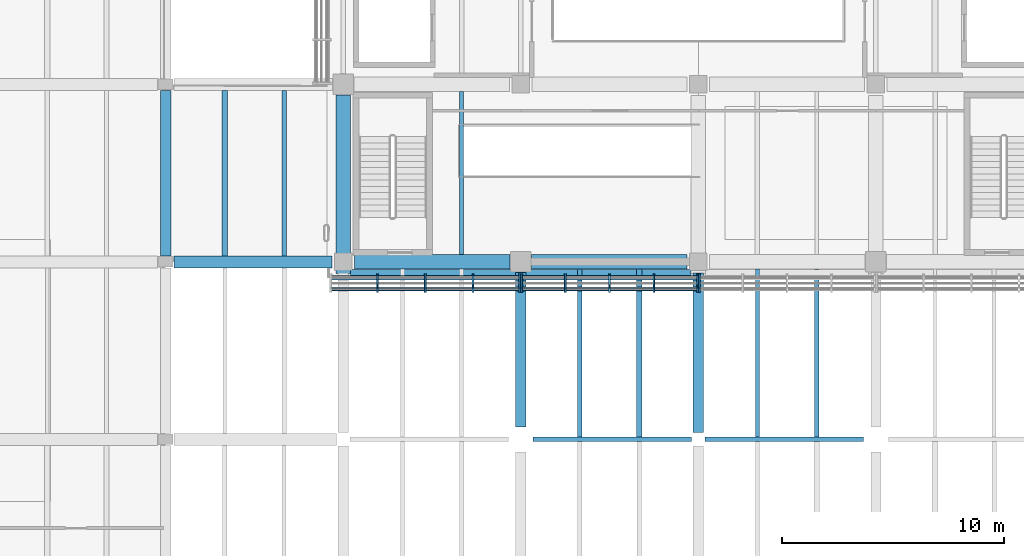
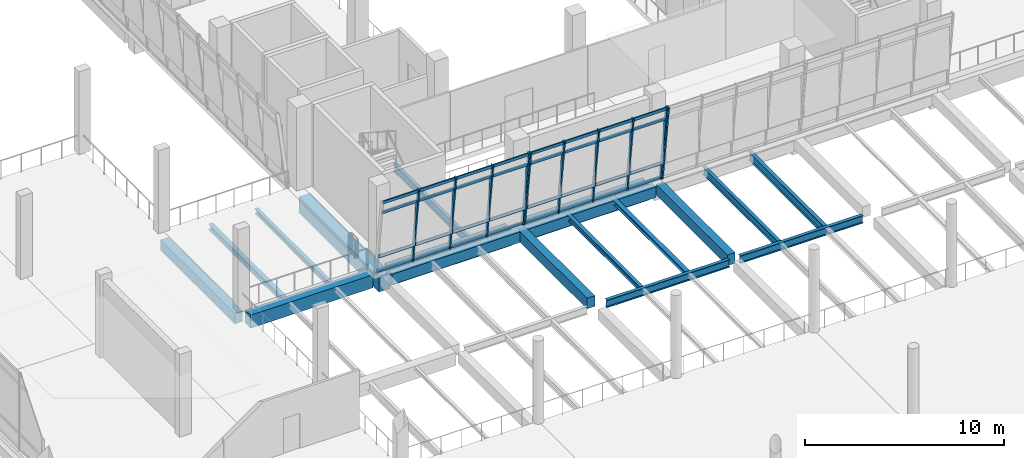
# One storey, part 13 of 61: 42 members, 17 beams, 3 elements without a shape of their own.
"""IFC4 building model written with IfcOpenShell, lengths in metres."""

from ifc_helpers import new_model, si_unit, direction, frame, origin, origin_2d, place, context, subcontext, project, spatial, rectangle, i_section, extrude, material, material_profile, profile_set, type_object, element, aggregate, save


model = new_model("IFC4")

# Units and contexts
model_context = context("Model", 3, precision=1e-05, world=origin(), true_north=direction((0.0, 1.0)))
body_context = subcontext(model_context, "Body", "Model", "MODEL_VIEW")
ifc_project = project(units=[si_unit("LENGTHUNIT", "METRE"), si_unit("AREAUNIT", "SQUARE_METRE"), si_unit("VOLUMEUNIT", "CUBIC_METRE"), si_unit("PLANEANGLEUNIT", "RADIAN"), si_unit("MASSUNIT", "GRAM", prefix="KILO")], contexts=[model_context])

# Site, building, storey
site_placement = place(None, origin())
site = spatial("IfcSite", under=ifc_project, at=site_placement, CompositionType="ELEMENT")
building_placement = place(site_placement, origin())
building = spatial("IfcBuilding", under=site, at=building_placement, Name="Pecanmere Concourse Central Library", CompositionType="ELEMENT")
storey_placement = place(building_placement, frame((0.0, 0.0, 5.39990234375)))
storey = spatial("IfcBuildingStorey", under=building, at=storey_placement, Name="L02", CompositionType="ELEMENT", Elevation=5.39990234375)

# Curtain wall, members
ifc_material_1 = material(Name="Anodized bronze aluminium alloy 6063-T6", Category="aluminium")
curtain_wall_type = type_object("IfcCurtainWallType", Name="CW_LEAN_BANDED", PredefinedType="USERDEFINED", material=ifc_material_1)
curtain_wall_1_placement = place(storey_placement, origin())
curtain_wall_1 = element("IfcCurtainWall", 1, at=curtain_wall_1_placement, inside=storey, type_object=curtain_wall_type, Name="Unitised Curtain Wall CW-01 L02-012", ObjectType="UNITISED CURTAIN WALL", PredefinedType="USERDEFINED")
ifc_material_2 = material(Name="Anodized bronze aluminium alloy 6063-T6", Category="aluminium")
ifc_material_profile_1 = material_profile(ifc_material_2, rectangle(XDim=0.074951171875, YDim=0.199951171875, at=origin_2d()), Name="AL 75x200")
ifc_profile_set_1 = profile_set([ifc_material_profile_1], Name="Anodized bronze aluminium alloy 6063-T6")
member_type_1 = type_object("IfcMemberType", Name="CWM_200x75", PredefinedType="MULLION", material=ifc_profile_set_1)
member_1_placement = place(storey_placement, frame((73.54833984375, 89.359619140625, 0.0), z_axis=(0.0, -0.132283601957, 0.991211909055), x_axis=(1.0, 0.0, 0.0)))
member_1 = element("IfcMember", 2, at=member_1_placement, type_object=member_type_1, Name="CW-01 Mullion 2", PredefinedType="MULLION", context=body_context, shape_type="SweptSolid", body=[
    extrude(rectangle(XDim=0.074951171875, YDim=0.199951171875, at=origin_2d()), origin(), (0.0, 0.0, 1.0), 4.80224609375),
])
member_2_placement = place(storey_placement, frame((75.697265625, 89.359619140625, 0.0), z_axis=(0.0, -0.132283601957, 0.991211909055), x_axis=(1.0, 0.0, 0.0)))
member_2 = element("IfcMember", 3, at=member_2_placement, type_object=member_type_1, Name="CW-01 Mullion 3", PredefinedType="MULLION", context=body_context, shape_type="SweptSolid", body=[
    extrude(rectangle(XDim=0.074951171875, YDim=0.199951171875, at=origin_2d()), origin(), (0.0, 0.0, 1.0), 4.80224609375),
])
member_3_placement = place(storey_placement, frame((77.84619140625, 89.359619140625, 0.0), z_axis=(0.0, -0.132283601957, 0.991211909055), x_axis=(1.0, 0.0, 0.0)))
member_3 = element("IfcMember", 4, at=member_3_placement, type_object=member_type_1, Name="CW-01 Mullion 4", PredefinedType="MULLION", context=body_context, shape_type="SweptSolid", body=[
    extrude(rectangle(XDim=0.074951171875, YDim=0.199951171875, at=origin_2d()), origin(), (0.0, 0.0, 1.0), 4.80224609375),
])
member_4_placement = place(storey_placement, frame((79.95751953125, 89.359619140625, 0.0), z_axis=(0.0, -0.132283601957, 0.991211909055), x_axis=(1.0, 0.0, 0.0)))
member_4 = element("IfcMember", 5, at=member_4_placement, type_object=member_type_1, Name="CW-01 Mullion 5", PredefinedType="MULLION", context=body_context, shape_type="SweptSolid", body=[
    extrude(rectangle(XDim=0.074951171875, YDim=0.199951171875, at=origin_2d()), origin(), (0.0, 0.0, 1.0), 4.80224609375),
])

curtain_wall_2_placement = place(storey_placement, origin())
curtain_wall_2 = element("IfcCurtainWall", 6, at=curtain_wall_2_placement, inside=storey, type_object=curtain_wall_type, Name="Unitised Curtain Wall CW-01 L02-013", ObjectType="UNITISED CURTAIN WALL", PredefinedType="USERDEFINED")
member_5_placement = place(storey_placement, frame((80.04248046875, 89.359619140625, 0.0), z_axis=(0.0, -0.132283601957, 0.991211909055), x_axis=(1.0, 0.0, 0.0)))
member_5 = element("IfcMember", 7, at=member_5_placement, type_object=member_type_1, Name="CW-01 Mullion 1", PredefinedType="MULLION", context=body_context, shape_type="SweptSolid", body=[
    extrude(rectangle(XDim=0.074951171875, YDim=0.199951171875, at=origin_2d()), origin(), (0.0, 0.0, 1.0), 4.80224609375),
])
member_6_placement = place(storey_placement, frame((82.00244140625, 89.359619140625, 0.0), z_axis=(0.0, -0.132283601957, 0.991211909055), x_axis=(1.0, 0.0, 0.0)))
member_6 = element("IfcMember", 8, at=member_6_placement, type_object=member_type_1, Name="CW-01 Mullion 2", PredefinedType="MULLION", context=body_context, shape_type="SweptSolid", body=[
    extrude(rectangle(XDim=0.074951171875, YDim=0.199951171875, at=origin_2d()), origin(), (0.0, 0.0, 1.0), 4.80224609375),
])
member_7_placement = place(storey_placement, frame((84.0, 89.359619140625, 0.0), z_axis=(0.0, -0.132283601957, 0.991211909055), x_axis=(1.0, 0.0, 0.0)))
member_7 = element("IfcMember", 9, at=member_7_placement, type_object=member_type_1, Name="CW-01 Mullion 3", PredefinedType="MULLION", context=body_context, shape_type="SweptSolid", body=[
    extrude(rectangle(XDim=0.074951171875, YDim=0.199951171875, at=origin_2d()), origin(), (0.0, 0.0, 1.0), 4.80224609375),
])
member_8_placement = place(storey_placement, frame((85.99755859375, 89.359619140625, 0.0), z_axis=(0.0, -0.132283601957, 0.991211909055), x_axis=(1.0, 0.0, 0.0)))
member_8 = element("IfcMember", 10, at=member_8_placement, type_object=member_type_1, Name="CW-01 Mullion 4", PredefinedType="MULLION", context=body_context, shape_type="SweptSolid", body=[
    extrude(rectangle(XDim=0.074951171875, YDim=0.199951171875, at=origin_2d()), origin(), (0.0, 0.0, 1.0), 4.80224609375),
])
member_9_placement = place(storey_placement, frame((87.95751953125, 89.359619140625, 0.0), z_axis=(0.0, -0.132283601957, 0.991211909055), x_axis=(1.0, 0.0, 0.0)))
member_9 = element("IfcMember", 11, at=member_9_placement, type_object=member_type_1, Name="CW-01 Mullion 5", PredefinedType="MULLION", context=body_context, shape_type="SweptSolid", body=[
    extrude(rectangle(XDim=0.074951171875, YDim=0.199951171875, at=origin_2d()), origin(), (0.0, 0.0, 1.0), 4.80224609375),
])

# Curtain wall, member
curtain_wall_3_placement = place(storey_placement, origin())
curtain_wall_3 = element("IfcCurtainWall", 12, at=curtain_wall_3_placement, inside=storey, type_object=curtain_wall_type, Name="Unitised Curtain Wall CW-01 L02-014", ObjectType="UNITISED CURTAIN WALL", PredefinedType="USERDEFINED")
member_10_placement = place(storey_placement, frame((88.04248046875, 89.359619140625, 0.0), z_axis=(0.0, -0.132283601957, 0.991211909055), x_axis=(1.0, 0.0, 0.0)))
member_10 = element("IfcMember", 13, at=member_10_placement, type_object=member_type_1, Name="CW-01 Mullion 1", PredefinedType="MULLION", context=body_context, shape_type="SweptSolid", body=[
    extrude(rectangle(XDim=0.074951171875, YDim=0.199951171875, at=origin_2d()), origin(), (0.0, 0.0, 1.0), 4.80224609375),
])
aggregate(curtain_wall_3, [member_10])

# Member
ifc_material_3 = material(Name="Anodized bronze aluminium alloy 6063-T6", Category="aluminium")
ifc_material_profile_2 = material_profile(ifc_material_3, rectangle(XDim=0.06494140625, YDim=0.179931640625, at=origin_2d()), Name="AL 65x180")
ifc_profile_set_2 = profile_set([ifc_material_profile_2], Name="Anodized bronze aluminium alloy 6063-T6")
member_type_2 = type_object("IfcMemberType", Name="CWT_180x65", PredefinedType="USERDEFINED", material=ifc_profile_set_2)
member_11_placement = place(storey_placement, frame((71.474609375, 89.347412109375, 0.090087890625), z_axis=(1.0, 0.0, 0.0), x_axis=(0.0, 1.0, 0.0)))
member_11 = element("IfcMember", 14, at=member_11_placement, type_object=member_type_2, Name="CW-01 Transom 1.1", ObjectType="TRANSOM", PredefinedType="USERDEFINED", context=body_context, shape_type="SweptSolid", body=[
    extrude(rectangle(XDim=0.06494140625, YDim=0.179931640625, at=origin_2d()), origin(), (0.0, 0.0, 1.0), 2.036376953125),
])

member_12_placement = place(storey_placement, frame((71.474609375, 89.219482421875, 1.050048828125), z_axis=(1.0, 0.0, 0.0), x_axis=(0.0, 1.0, 0.0)))
member_12 = element("IfcMember", 15, at=member_12_placement, type_object=member_type_2, Name="CW-01 Transom 1.2", ObjectType="TRANSOM", PredefinedType="USERDEFINED", context=body_context, shape_type="SweptSolid", body=[
    extrude(rectangle(XDim=0.06494140625, YDim=0.179931640625, at=origin_2d()), origin(), (0.0, 0.0, 1.0), 2.036376953125),
])

member_13_placement = place(storey_placement, frame((71.474609375, 88.824462890625, 4.010009765625), z_axis=(1.0, 0.0, 0.0), x_axis=(0.0, 1.0, 0.0)))
member_13 = element("IfcMember", 16, at=member_13_placement, type_object=member_type_2, Name="CW-01 Transom 1.3", ObjectType="TRANSOM", PredefinedType="USERDEFINED", context=body_context, shape_type="SweptSolid", body=[
    extrude(rectangle(XDim=0.06494140625, YDim=0.179931640625, at=origin_2d()), origin(), (0.0, 0.0, 1.0), 2.036376953125),
])

member_14_placement = place(storey_placement, frame((71.474609375, 88.736328125, 4.670166015625), z_axis=(1.0, 0.0, 0.0), x_axis=(0.0, 1.0, 0.0)))
member_14 = element("IfcMember", 17, at=member_14_placement, type_object=member_type_2, Name="CW-01 Transom 1.4", ObjectType="TRANSOM", PredefinedType="USERDEFINED", context=body_context, shape_type="SweptSolid", body=[
    extrude(rectangle(XDim=0.06494140625, YDim=0.179931640625, at=origin_2d()), origin(), (0.0, 0.0, 1.0), 2.036376953125),
])

member_15_placement = place(storey_placement, frame((73.5859375, 89.347412109375, 0.090087890625), z_axis=(1.0, 0.0, 0.0), x_axis=(0.0, 1.0, 0.0)))
member_15 = element("IfcMember", 18, at=member_15_placement, type_object=member_type_2, Name="CW-01 Transom 2.1", ObjectType="TRANSOM", PredefinedType="USERDEFINED", context=body_context, shape_type="SweptSolid", body=[
    extrude(rectangle(XDim=0.06494140625, YDim=0.179931640625, at=origin_2d()), origin(), (0.0, 0.0, 1.0), 2.07373046875),
])

member_16_placement = place(storey_placement, frame((73.5859375, 89.219482421875, 1.050048828125), z_axis=(1.0, 0.0, 0.0), x_axis=(0.0, 1.0, 0.0)))
member_16 = element("IfcMember", 19, at=member_16_placement, type_object=member_type_2, Name="CW-01 Transom 2.2", ObjectType="TRANSOM", PredefinedType="USERDEFINED", context=body_context, shape_type="SweptSolid", body=[
    extrude(rectangle(XDim=0.06494140625, YDim=0.179931640625, at=origin_2d()), origin(), (0.0, 0.0, 1.0), 2.07373046875),
])

member_17_placement = place(storey_placement, frame((73.5859375, 88.824462890625, 4.010009765625), z_axis=(1.0, 0.0, 0.0), x_axis=(0.0, 1.0, 0.0)))
member_17 = element("IfcMember", 20, at=member_17_placement, type_object=member_type_2, Name="CW-01 Transom 2.3", ObjectType="TRANSOM", PredefinedType="USERDEFINED", context=body_context, shape_type="SweptSolid", body=[
    extrude(rectangle(XDim=0.06494140625, YDim=0.179931640625, at=origin_2d()), origin(), (0.0, 0.0, 1.0), 2.07373046875),
])

member_18_placement = place(storey_placement, frame((73.5859375, 88.736328125, 4.670166015625), z_axis=(1.0, 0.0, 0.0), x_axis=(0.0, 1.0, 0.0)))
member_18 = element("IfcMember", 21, at=member_18_placement, type_object=member_type_2, Name="CW-01 Transom 2.4", ObjectType="TRANSOM", PredefinedType="USERDEFINED", context=body_context, shape_type="SweptSolid", body=[
    extrude(rectangle(XDim=0.06494140625, YDim=0.179931640625, at=origin_2d()), origin(), (0.0, 0.0, 1.0), 2.07373046875),
])

member_19_placement = place(storey_placement, frame((75.73486328125, 89.347412109375, 0.090087890625), z_axis=(1.0, 0.0, 0.0), x_axis=(0.0, 1.0, 0.0)))
member_19 = element("IfcMember", 22, at=member_19_placement, type_object=member_type_2, Name="CW-01 Transom 3.1", ObjectType="TRANSOM", PredefinedType="USERDEFINED", context=body_context, shape_type="SweptSolid", body=[
    extrude(rectangle(XDim=0.06494140625, YDim=0.179931640625, at=origin_2d()), origin(), (0.0, 0.0, 1.0), 2.07373046875),
])

member_20_placement = place(storey_placement, frame((75.73486328125, 89.219482421875, 1.050048828125), z_axis=(1.0, 0.0, 0.0), x_axis=(0.0, 1.0, 0.0)))
member_20 = element("IfcMember", 23, at=member_20_placement, type_object=member_type_2, Name="CW-01 Transom 3.2", ObjectType="TRANSOM", PredefinedType="USERDEFINED", context=body_context, shape_type="SweptSolid", body=[
    extrude(rectangle(XDim=0.06494140625, YDim=0.179931640625, at=origin_2d()), origin(), (0.0, 0.0, 1.0), 2.07373046875),
])

member_21_placement = place(storey_placement, frame((75.73486328125, 88.824462890625, 4.010009765625), z_axis=(1.0, 0.0, 0.0), x_axis=(0.0, 1.0, 0.0)))
member_21 = element("IfcMember", 24, at=member_21_placement, type_object=member_type_2, Name="CW-01 Transom 3.3", ObjectType="TRANSOM", PredefinedType="USERDEFINED", context=body_context, shape_type="SweptSolid", body=[
    extrude(rectangle(XDim=0.06494140625, YDim=0.179931640625, at=origin_2d()), origin(), (0.0, 0.0, 1.0), 2.07373046875),
])

member_22_placement = place(storey_placement, frame((75.73486328125, 88.736328125, 4.670166015625), z_axis=(1.0, 0.0, 0.0), x_axis=(0.0, 1.0, 0.0)))
member_22 = element("IfcMember", 25, at=member_22_placement, type_object=member_type_2, Name="CW-01 Transom 3.4", ObjectType="TRANSOM", PredefinedType="USERDEFINED", context=body_context, shape_type="SweptSolid", body=[
    extrude(rectangle(XDim=0.06494140625, YDim=0.179931640625, at=origin_2d()), origin(), (0.0, 0.0, 1.0), 2.07373046875),
])

member_23_placement = place(storey_placement, frame((77.883544921875, 89.347412109375, 0.090087890625), z_axis=(1.0, 0.0, 0.0), x_axis=(0.0, 1.0, 0.0)))
member_23 = element("IfcMember", 26, at=member_23_placement, type_object=member_type_2, Name="CW-01 Transom 4.1", ObjectType="TRANSOM", PredefinedType="USERDEFINED", context=body_context, shape_type="SweptSolid", body=[
    extrude(rectangle(XDim=0.06494140625, YDim=0.179931640625, at=origin_2d()), origin(), (0.0, 0.0, 1.0), 2.036376953125),
])

member_24_placement = place(storey_placement, frame((77.883544921875, 89.219482421875, 1.050048828125), z_axis=(1.0, 0.0, 0.0), x_axis=(0.0, 1.0, 0.0)))
member_24 = element("IfcMember", 27, at=member_24_placement, type_object=member_type_2, Name="CW-01 Transom 4.2", ObjectType="TRANSOM", PredefinedType="USERDEFINED", context=body_context, shape_type="SweptSolid", body=[
    extrude(rectangle(XDim=0.06494140625, YDim=0.179931640625, at=origin_2d()), origin(), (0.0, 0.0, 1.0), 2.036376953125),
])

member_25_placement = place(storey_placement, frame((77.883544921875, 88.824462890625, 4.010009765625), z_axis=(1.0, 0.0, 0.0), x_axis=(0.0, 1.0, 0.0)))
member_25 = element("IfcMember", 28, at=member_25_placement, type_object=member_type_2, Name="CW-01 Transom 4.3", ObjectType="TRANSOM", PredefinedType="USERDEFINED", context=body_context, shape_type="SweptSolid", body=[
    extrude(rectangle(XDim=0.06494140625, YDim=0.179931640625, at=origin_2d()), origin(), (0.0, 0.0, 1.0), 2.036376953125),
])

member_26_placement = place(storey_placement, frame((77.883544921875, 88.736328125, 4.670166015625), z_axis=(1.0, 0.0, 0.0), x_axis=(0.0, 1.0, 0.0)))
member_26 = element("IfcMember", 29, at=member_26_placement, type_object=member_type_2, Name="CW-01 Transom 4.4", ObjectType="TRANSOM", PredefinedType="USERDEFINED", context=body_context, shape_type="SweptSolid", body=[
    extrude(rectangle(XDim=0.06494140625, YDim=0.179931640625, at=origin_2d()), origin(), (0.0, 0.0, 1.0), 2.036376953125),
])

aggregate(curtain_wall_1, [member_1, member_2, member_3, member_4, member_11, member_12, member_13, member_14, member_15, member_16, member_17, member_18, member_19, member_20, member_21, member_22, member_23, member_24, member_25, member_26])

member_27_placement = place(storey_placement, frame((80.080078125, 89.347412109375, 0.090087890625), z_axis=(1.0, 0.0, 0.0), x_axis=(0.0, 1.0, 0.0)))
member_27 = element("IfcMember", 30, at=member_27_placement, type_object=member_type_2, Name="CW-01 Transom 1.1", ObjectType="TRANSOM", PredefinedType="USERDEFINED", context=body_context, shape_type="SweptSolid", body=[
    extrude(rectangle(XDim=0.06494140625, YDim=0.179931640625, at=origin_2d()), origin(), (0.0, 0.0, 1.0), 1.885009765625),
])

member_28_placement = place(storey_placement, frame((80.080078125, 89.219482421875, 1.050048828125), z_axis=(1.0, 0.0, 0.0), x_axis=(0.0, 1.0, 0.0)))
member_28 = element("IfcMember", 31, at=member_28_placement, type_object=member_type_2, Name="CW-01 Transom 1.2", ObjectType="TRANSOM", PredefinedType="USERDEFINED", context=body_context, shape_type="SweptSolid", body=[
    extrude(rectangle(XDim=0.06494140625, YDim=0.179931640625, at=origin_2d()), origin(), (0.0, 0.0, 1.0), 1.885009765625),
])

member_29_placement = place(storey_placement, frame((80.080078125, 88.824462890625, 4.010009765625), z_axis=(1.0, 0.0, 0.0), x_axis=(0.0, 1.0, 0.0)))
member_29 = element("IfcMember", 32, at=member_29_placement, type_object=member_type_2, Name="CW-01 Transom 1.3", ObjectType="TRANSOM", PredefinedType="USERDEFINED", context=body_context, shape_type="SweptSolid", body=[
    extrude(rectangle(XDim=0.06494140625, YDim=0.179931640625, at=origin_2d()), origin(), (0.0, 0.0, 1.0), 1.885009765625),
])

member_30_placement = place(storey_placement, frame((80.080078125, 88.736328125, 4.670166015625), z_axis=(1.0, 0.0, 0.0), x_axis=(0.0, 1.0, 0.0)))
member_30 = element("IfcMember", 33, at=member_30_placement, type_object=member_type_2, Name="CW-01 Transom 1.4", ObjectType="TRANSOM", PredefinedType="USERDEFINED", context=body_context, shape_type="SweptSolid", body=[
    extrude(rectangle(XDim=0.06494140625, YDim=0.179931640625, at=origin_2d()), origin(), (0.0, 0.0, 1.0), 1.885009765625),
])

member_31_placement = place(storey_placement, frame((82.0400390625, 89.347412109375, 0.090087890625), z_axis=(1.0, 0.0, 0.0), x_axis=(0.0, 1.0, 0.0)))
member_31 = element("IfcMember", 34, at=member_31_placement, type_object=member_type_2, Name="CW-01 Transom 2.1", ObjectType="TRANSOM", PredefinedType="USERDEFINED", context=body_context, shape_type="SweptSolid", body=[
    extrude(rectangle(XDim=0.06494140625, YDim=0.179931640625, at=origin_2d()), origin(), (0.0, 0.0, 1.0), 1.92236328125),
])

member_32_placement = place(storey_placement, frame((82.0400390625, 89.219482421875, 1.050048828125), z_axis=(1.0, 0.0, 0.0), x_axis=(0.0, 1.0, 0.0)))
member_32 = element("IfcMember", 35, at=member_32_placement, type_object=member_type_2, Name="CW-01 Transom 2.2", ObjectType="TRANSOM", PredefinedType="USERDEFINED", context=body_context, shape_type="SweptSolid", body=[
    extrude(rectangle(XDim=0.06494140625, YDim=0.179931640625, at=origin_2d()), origin(), (0.0, 0.0, 1.0), 1.92236328125),
])

member_33_placement = place(storey_placement, frame((82.0400390625, 88.824462890625, 4.010009765625), z_axis=(1.0, 0.0, 0.0), x_axis=(0.0, 1.0, 0.0)))
member_33 = element("IfcMember", 36, at=member_33_placement, type_object=member_type_2, Name="CW-01 Transom 2.3", ObjectType="TRANSOM", PredefinedType="USERDEFINED", context=body_context, shape_type="SweptSolid", body=[
    extrude(rectangle(XDim=0.06494140625, YDim=0.179931640625, at=origin_2d()), origin(), (0.0, 0.0, 1.0), 1.92236328125),
])

member_34_placement = place(storey_placement, frame((82.0400390625, 88.736328125, 4.670166015625), z_axis=(1.0, 0.0, 0.0), x_axis=(0.0, 1.0, 0.0)))
member_34 = element("IfcMember", 37, at=member_34_placement, type_object=member_type_2, Name="CW-01 Transom 2.4", ObjectType="TRANSOM", PredefinedType="USERDEFINED", context=body_context, shape_type="SweptSolid", body=[
    extrude(rectangle(XDim=0.06494140625, YDim=0.179931640625, at=origin_2d()), origin(), (0.0, 0.0, 1.0), 1.92236328125),
])

member_35_placement = place(storey_placement, frame((84.03759765625, 89.347412109375, 0.090087890625), z_axis=(1.0, 0.0, 0.0), x_axis=(0.0, 1.0, 0.0)))
member_35 = element("IfcMember", 38, at=member_35_placement, type_object=member_type_2, Name="CW-01 Transom 3.1", ObjectType="TRANSOM", PredefinedType="USERDEFINED", context=body_context, shape_type="SweptSolid", body=[
    extrude(rectangle(XDim=0.06494140625, YDim=0.179931640625, at=origin_2d()), origin(), (0.0, 0.0, 1.0), 1.92236328125),
])

member_36_placement = place(storey_placement, frame((84.03759765625, 89.219482421875, 1.050048828125), z_axis=(1.0, 0.0, 0.0), x_axis=(0.0, 1.0, 0.0)))
member_36 = element("IfcMember", 39, at=member_36_placement, type_object=member_type_2, Name="CW-01 Transom 3.2", ObjectType="TRANSOM", PredefinedType="USERDEFINED", context=body_context, shape_type="SweptSolid", body=[
    extrude(rectangle(XDim=0.06494140625, YDim=0.179931640625, at=origin_2d()), origin(), (0.0, 0.0, 1.0), 1.92236328125),
])

member_37_placement = place(storey_placement, frame((84.03759765625, 88.824462890625, 4.010009765625), z_axis=(1.0, 0.0, 0.0), x_axis=(0.0, 1.0, 0.0)))
member_37 = element("IfcMember", 40, at=member_37_placement, type_object=member_type_2, Name="CW-01 Transom 3.3", ObjectType="TRANSOM", PredefinedType="USERDEFINED", context=body_context, shape_type="SweptSolid", body=[
    extrude(rectangle(XDim=0.06494140625, YDim=0.179931640625, at=origin_2d()), origin(), (0.0, 0.0, 1.0), 1.92236328125),
])

member_38_placement = place(storey_placement, frame((84.03759765625, 88.736328125, 4.670166015625), z_axis=(1.0, 0.0, 0.0), x_axis=(0.0, 1.0, 0.0)))
member_38 = element("IfcMember", 41, at=member_38_placement, type_object=member_type_2, Name="CW-01 Transom 3.4", ObjectType="TRANSOM", PredefinedType="USERDEFINED", context=body_context, shape_type="SweptSolid", body=[
    extrude(rectangle(XDim=0.06494140625, YDim=0.179931640625, at=origin_2d()), origin(), (0.0, 0.0, 1.0), 1.92236328125),
])

member_39_placement = place(storey_placement, frame((86.034912109375, 89.347412109375, 0.090087890625), z_axis=(1.0, 0.0, 0.0), x_axis=(0.0, 1.0, 0.0)))
member_39 = element("IfcMember", 42, at=member_39_placement, type_object=member_type_2, Name="CW-01 Transom 4.1", ObjectType="TRANSOM", PredefinedType="USERDEFINED", context=body_context, shape_type="SweptSolid", body=[
    extrude(rectangle(XDim=0.06494140625, YDim=0.179931640625, at=origin_2d()), origin(), (0.0, 0.0, 1.0), 1.885009765625),
])

member_40_placement = place(storey_placement, frame((86.034912109375, 89.219482421875, 1.050048828125), z_axis=(1.0, 0.0, 0.0), x_axis=(0.0, 1.0, 0.0)))
member_40 = element("IfcMember", 43, at=member_40_placement, type_object=member_type_2, Name="CW-01 Transom 4.2", ObjectType="TRANSOM", PredefinedType="USERDEFINED", context=body_context, shape_type="SweptSolid", body=[
    extrude(rectangle(XDim=0.06494140625, YDim=0.179931640625, at=origin_2d()), origin(), (0.0, 0.0, 1.0), 1.885009765625),
])

member_41_placement = place(storey_placement, frame((86.034912109375, 88.824462890625, 4.010009765625), z_axis=(1.0, 0.0, 0.0), x_axis=(0.0, 1.0, 0.0)))
member_41 = element("IfcMember", 44, at=member_41_placement, type_object=member_type_2, Name="CW-01 Transom 4.3", ObjectType="TRANSOM", PredefinedType="USERDEFINED", context=body_context, shape_type="SweptSolid", body=[
    extrude(rectangle(XDim=0.06494140625, YDim=0.179931640625, at=origin_2d()), origin(), (0.0, 0.0, 1.0), 1.885009765625),
])

member_42_placement = place(storey_placement, frame((86.034912109375, 88.736328125, 4.670166015625), z_axis=(1.0, 0.0, 0.0), x_axis=(0.0, 1.0, 0.0)))
member_42 = element("IfcMember", 45, at=member_42_placement, type_object=member_type_2, Name="CW-01 Transom 4.4", ObjectType="TRANSOM", PredefinedType="USERDEFINED", context=body_context, shape_type="SweptSolid", body=[
    extrude(rectangle(XDim=0.06494140625, YDim=0.179931640625, at=origin_2d()), origin(), (0.0, 0.0, 1.0), 1.885009765625),
])

aggregate(curtain_wall_2, [member_5, member_6, member_7, member_8, member_9, member_27, member_28, member_29, member_30, member_31, member_32, member_33, member_34, member_35, member_36, member_37, member_38, member_39, member_40, member_41, member_42])

# Beams
ifc_material_4 = material(Name="Concrete C40/50", Category="concrete")
ifc_material_profile_3 = material_profile(ifc_material_4, rectangle(XDim=0.4599609375, YDim=0.64990234375, at=origin_2d()), Name="RC 460x650")
ifc_profile_set_3 = profile_set([ifc_material_profile_3], Name="Concrete C40/50")
beam_type_1 = type_object("IfcBeamType", Name="GRD_460x650", PredefinedType="USERDEFINED", material=ifc_profile_set_3)
beam_1_placement = place(storey_placement, frame((64.0, 90.27001953125, -0.69482421875), z_axis=(0.0, 1.0, 0.0), x_axis=(-1.0, 0.0, 0.0)))
element("IfcBeam", 46, at=beam_1_placement, inside=storey, type_object=beam_type_1, Name="Primary Girder Y L02-1029", ObjectType="GIRDER", PredefinedType="USERDEFINED", context=body_context, shape_type="SweptSolid", body=[
    extrude(rectangle(XDim=0.4599609375, YDim=0.64990234375, at=origin_2d()), origin(), (0.0, 0.0, 1.0), 7.4599609375),
])
beam_2_placement = place(storey_placement, frame((80.0, 82.56005859375, -0.69482421875), z_axis=(0.0, 1.0, 0.0), x_axis=(-1.0, 0.0, 0.0)))
element("IfcBeam", 47, at=beam_2_placement, inside=storey, type_object=beam_type_1, Name="Primary Girder Y L02-1049", ObjectType="GIRDER", PredefinedType="USERDEFINED", context=body_context, shape_type="SweptSolid", body=[
    extrude(rectangle(XDim=0.4599609375, YDim=0.64990234375, at=origin_2d()), origin(), (0.0, 0.0, 1.0), 6.949951171875),
])
beam_3_placement = place(storey_placement, frame((88.0, 82.31005859375, -0.69482421875), z_axis=(0.0, 1.0, 0.0), x_axis=(-1.0, 0.0, 0.0)))
element("IfcBeam", 48, at=beam_3_placement, inside=storey, type_object=beam_type_1, Name="Primary Girder Y L02-1059", ObjectType="GIRDER", PredefinedType="USERDEFINED", context=body_context, shape_type="SweptSolid", body=[
    extrude(rectangle(XDim=0.4599609375, YDim=0.64990234375, at=origin_2d()), origin(), (0.0, 0.0, 1.0), 7.179931640625),
])
ifc_material_5 = material(Name="Concrete C40/50", Category="concrete")
ifc_material_profile_4 = material_profile(ifc_material_5, rectangle(XDim=0.5400390625, YDim=0.800048828125, at=origin_2d()), Name="RC 540x800")
ifc_profile_set_4 = profile_set([ifc_material_profile_4], Name="Concrete C40/50")
beam_type_2 = type_object("IfcBeamType", Name="GRD_540x800", PredefinedType="USERDEFINED", material=ifc_profile_set_4)
beam_4_placement = place(storey_placement, frame((64.3701171875, 90.0, -0.77001953125), z_axis=(1.0, 0.0, 0.0), x_axis=(0.0, 1.0, 0.0)))
element("IfcBeam", 49, at=beam_4_placement, inside=storey, type_object=beam_type_2, Name="Primary Girder X L02-0914", ObjectType="GIRDER", PredefinedType="USERDEFINED", context=body_context, shape_type="SweptSolid", body=[
    extrude(rectangle(XDim=0.5400390625, YDim=0.800048828125, at=origin_2d()), origin(), (0.0, 0.0, 1.0), 7.119873046875),
])
ifc_material_6 = material(Name="Concrete C40/50", Category="concrete")
ifc_material_profile_5 = material_profile(ifc_material_6, rectangle(XDim=0.659912109375, YDim=0.97998046875, at=origin_2d()), Name="RC 660x980")
ifc_profile_set_5 = profile_set([ifc_material_profile_5], Name="Concrete C40/50")
beam_type_3 = type_object("IfcBeamType", Name="GRD_660x980", PredefinedType="USERDEFINED", material=ifc_profile_set_5)
for number, where, z_axis, x_axis, name in (
    (50, (72.510009765625, 90.0, -0.85986328125), (1.0, 0.0, 0.0), (0.0, 1.0, 0.0), "Primary Girder X L02-0915"),
    (51, (80.489990234375, 90.0, -0.85986328125), (1.0, 0.0, 0.0), (0.0, 1.0, 0.0), "Primary Girder X L02-0916"),
):
    element("IfcBeam", number, at=place(storey_placement, frame(where, z_axis=z_axis, x_axis=x_axis)), inside=storey, type_object=beam_type_3, Name=name, ObjectType="GIRDER", PredefinedType="USERDEFINED", context=body_context, shape_type="SweptSolid", body=[
        extrude(rectangle(XDim=0.659912109375, YDim=0.97998046875, at=origin_2d()), origin(), (0.0, 0.0, 1.0), 7.0),
    ])
beam_5_placement = place(storey_placement, frame((72.0, 89.469482421875, -0.85986328125), z_axis=(0.0, 1.0, 0.0), x_axis=(-1.0, 0.0, 0.0)))
element("IfcBeam", 52, at=beam_5_placement, inside=storey, type_object=beam_type_3, Name="Primary Girder Y L02-1038", ObjectType="GIRDER", PredefinedType="USERDEFINED", context=body_context, shape_type="SweptSolid", body=[
    extrude(rectangle(XDim=0.659912109375, YDim=0.97998046875, at=origin_2d()), origin(), (0.0, 0.0, 1.0), 8.04052734375),
])
ifc_material_7 = material(Name="Structural steel ASTM A992 Grade 50", Category="steel")
ifc_material_profile_6 = material_profile(ifc_material_7, i_section(OverallWidth=0.25390625, OverallDepth=0.2529296875, WebThickness=0.008544921875, FlangeThickness=0.01416015625, at=origin_2d()), Name="W250x73")
ifc_profile_set_6 = profile_set([ifc_material_profile_6], Name="Structural steel ASTM A992 Grade 50")
beam_type_4 = type_object("IfcBeamType", Name="SBM_W250x73", PredefinedType="BEAM", material=ifc_profile_set_6)
beam_6_placement = place(storey_placement, frame((85.333251953125, 82.096923828125, -0.496337890625), z_axis=(0.0, 1.0, 0.0), x_axis=(-1.0, 0.0, 0.0)))
element("IfcBeam", 53, at=beam_6_placement, inside=storey, type_object=beam_type_4, Name="Secondary Floor Joist L02-1304", PredefinedType="BEAM", context=body_context, shape_type="SweptSolid", body=[
    extrude(i_section(OverallWidth=0.25390625, OverallDepth=0.2529296875, WebThickness=0.008544921875, FlangeThickness=0.01416015625, at=origin_2d()), origin(), (0.0, 0.0, 1.0), 7.572998046875),
])
ifc_material_8 = material(Name="Structural steel ASTM A992 Grade 50", Category="steel")
ifc_material_profile_7 = material_profile(ifc_material_8, i_section(OverallWidth=0.205078125, OverallDepth=0.31005859375, WebThickness=0.009521484375, FlangeThickness=0.016357421875, at=origin_2d()), Name="W310x74")
ifc_profile_set_7 = profile_set([ifc_material_profile_7], Name="Structural steel ASTM A992 Grade 50")
beam_type_5 = type_object("IfcBeamType", Name="SBM_W310x74", PredefinedType="BEAM", material=ifc_profile_set_7)
beam_7_placement = place(storey_placement, frame((69.333251953125, 90.27001953125, -0.52490234375), z_axis=(0.0, 1.0, 0.0), x_axis=(-1.0, 0.0, 0.0)))
element("IfcBeam", 54, at=beam_7_placement, inside=storey, type_object=beam_type_5, Name="Secondary Floor Joist L02-1273", PredefinedType="BEAM", context=body_context, shape_type="SweptSolid", body=[
    extrude(i_section(OverallWidth=0.205078125, OverallDepth=0.31005859375, WebThickness=0.009521484375, FlangeThickness=0.016357421875, at=origin_2d()), origin(), (0.0, 0.0, 1.0), 7.4599609375),
])
beam_8_placement = place(storey_placement, frame((82.666748046875, 82.096923828125, -0.52490234375), z_axis=(0.0, 1.0, 0.0), x_axis=(-1.0, 0.0, 0.0)))
element("IfcBeam", 55, at=beam_8_placement, inside=storey, type_object=beam_type_5, Name="Secondary Floor Joist L02-1303", PredefinedType="BEAM", context=body_context, shape_type="SweptSolid", body=[
    extrude(i_section(OverallWidth=0.205078125, OverallDepth=0.31005859375, WebThickness=0.009521484375, FlangeThickness=0.016357421875, at=origin_2d()), origin(), (0.0, 0.0, 1.0), 7.572998046875),
])
ifc_material_9 = material(Name="Structural steel ASTM A992 Grade 50", Category="steel")
ifc_material_profile_8 = material_profile(ifc_material_9, i_section(OverallWidth=0.25390625, OverallDepth=0.35302734375, WebThickness=0.009521484375, FlangeThickness=0.016357421875, at=origin_2d()), Name="W360x91")
ifc_profile_set_8 = profile_set([ifc_material_profile_8], Name="Structural steel ASTM A992 Grade 50")
beam_type_6 = type_object("IfcBeamType", Name="SBM_W360x91", PredefinedType="BEAM", material=ifc_profile_set_8)
beam_9_placement = place(storey_placement, frame((66.666748046875, 90.27001953125, -0.54638671875), z_axis=(0.0, 1.0, 0.0), x_axis=(-1.0, 0.0, 0.0)))
element("IfcBeam", 56, at=beam_9_placement, inside=storey, type_object=beam_type_6, Name="Secondary Floor Joist L02-1272", PredefinedType="BEAM", context=body_context, shape_type="SweptSolid", body=[
    extrude(i_section(OverallWidth=0.25390625, OverallDepth=0.35302734375, WebThickness=0.009521484375, FlangeThickness=0.016357421875, at=origin_2d()), origin(), (0.0, 0.0, 1.0), 7.4599609375),
])
ifc_material_10 = material(Name="Structural steel ASTM A992 Grade 50", Category="steel")
ifc_material_profile_9 = material_profile(ifc_material_10, i_section(OverallWidth=0.194091796875, OverallDepth=0.468994140625, WebThickness=0.0126953125, FlangeThickness=0.0205078125, at=origin_2d()), Name="W460x106")
ifc_profile_set_9 = profile_set([ifc_material_profile_9], Name="Structural steel ASTM A992 Grade 50")
beam_type_7 = type_object("IfcBeamType", Name="SBM_W460x106", PredefinedType="USERDEFINED", material=ifc_profile_set_9)
for number, where, z_axis, x_axis, name in (
    (57, (80.56005859375, 82.0, -0.6044921875), (1.0, 0.0, 0.0), (0.0, 1.0, 0.0), "Primary Girder X L02-0902"),
    (58, (88.31005859375, 82.0, -0.6044921875), (1.0, 0.0, 0.0), (0.0, 1.0, 0.0), "Primary Girder X L02-0903"),
):
    element("IfcBeam", number, at=place(storey_placement, frame(where, z_axis=z_axis, x_axis=x_axis)), inside=storey, type_object=beam_type_7, Name=name, ObjectType="GIRDER", PredefinedType="USERDEFINED", context=body_context, shape_type="SweptSolid", body=[
        extrude(i_section(OverallWidth=0.194091796875, OverallDepth=0.468994140625, WebThickness=0.0126953125, FlangeThickness=0.0205078125, at=origin_2d()), origin(), (0.0, 0.0, 1.0), 7.1298828125),
    ])
beam_10_placement = place(storey_placement, frame((77.333251953125, 90.330078125, -0.6044921875), z_axis=(0.0, 1.0, 0.0), x_axis=(-1.0, 0.0, 0.0)))
element("IfcBeam", 59, at=beam_10_placement, inside=storey, type_object=beam_type_7, Name="Secondary Floor Joist L02-1286", ObjectType="GIRDER", PredefinedType="USERDEFINED", context=body_context, shape_type="SweptSolid", body=[
    extrude(i_section(OverallWidth=0.194091796875, OverallDepth=0.468994140625, WebThickness=0.0126953125, FlangeThickness=0.0205078125, at=origin_2d()), origin(), (0.0, 0.0, 1.0), 7.33984375),
])
beam_11_placement = place(storey_placement, frame((90.666748046875, 82.096923828125, -0.6044921875), z_axis=(0.0, 1.0, 0.0), x_axis=(-1.0, 0.0, 0.0)))
element("IfcBeam", 60, at=beam_11_placement, inside=storey, type_object=beam_type_7, Name="Secondary Floor Joist L02-1319", ObjectType="GIRDER", PredefinedType="USERDEFINED", context=body_context, shape_type="SweptSolid", body=[
    extrude(i_section(OverallWidth=0.194091796875, OverallDepth=0.468994140625, WebThickness=0.0126953125, FlangeThickness=0.0205078125, at=origin_2d()), origin(), (0.0, 0.0, 1.0), 7.572998046875),
])
ifc_material_11 = material(Name="Structural steel ASTM A992 Grade 50", Category="steel")
ifc_material_profile_10 = material_profile(ifc_material_11, i_section(OverallWidth=0.2109375, OverallDepth=0.5390625, WebThickness=0.01171875, FlangeThickness=0.018798828125, at=origin_2d()), Name="W530x109")
ifc_profile_set_10 = profile_set([ifc_material_profile_10], Name="Structural steel ASTM A992 Grade 50")
beam_type_8 = type_object("IfcBeamType", Name="SBM_W530x109", PredefinedType="USERDEFINED", material=ifc_profile_set_10)
beam_12_placement = place(storey_placement, frame((93.333251953125, 82.096923828125, -0.639404296875), z_axis=(0.0, 1.0, 0.0), x_axis=(-1.0, 0.0, 0.0)))
element("IfcBeam", 61, at=beam_12_placement, inside=storey, type_object=beam_type_8, Name="Secondary Floor Joist L02-1320", ObjectType="GIRDER", PredefinedType="USERDEFINED", context=body_context, shape_type="SweptSolid", body=[
    extrude(i_section(OverallWidth=0.2109375, OverallDepth=0.5390625, WebThickness=0.01171875, FlangeThickness=0.018798828125, at=origin_2d()), origin(), (0.0, 0.0, 1.0), 7.572998046875),
])
ifc_material_12 = material(Name="Concrete C40/50", Category="concrete")
ifc_material_profile_11 = material_profile(ifc_material_12, rectangle(XDim=0.3798828125, YDim=0.639892578125, at=origin_2d()), Name="RC 380x640")
ifc_profile_set_11 = profile_set([ifc_material_profile_11], Name="Concrete C40/50")
beam_type_9 = type_object("IfcBeamType", Name="SPB_380x640", PredefinedType="BEAM", material=ifc_profile_set_11)
beam_13_placement = place(storey_placement, frame((72.330078125, 89.469482421875, -0.68994140625), z_axis=(1.0, 0.0, 0.0), x_axis=(0.0, 1.0, 0.0)))
element("IfcBeam", 62, at=beam_13_placement, inside=storey, type_object=beam_type_9, Name="Leaning Facade Edge Beam L02-1159", PredefinedType="BEAM", context=body_context, shape_type="SweptSolid", body=[
    extrude(rectangle(XDim=0.3798828125, YDim=0.639892578125, at=origin_2d()), origin(), (0.0, 0.0, 1.0), 15.33984375),
])

save(model, "model.ifc")
